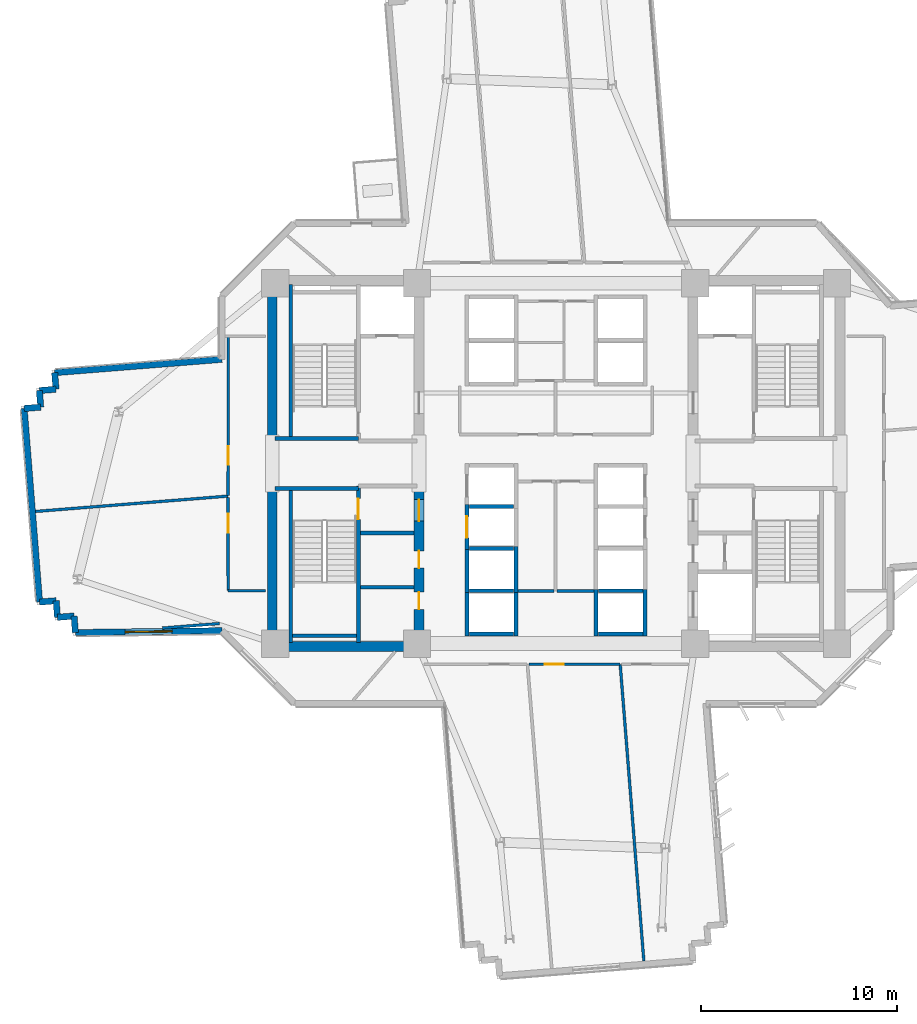
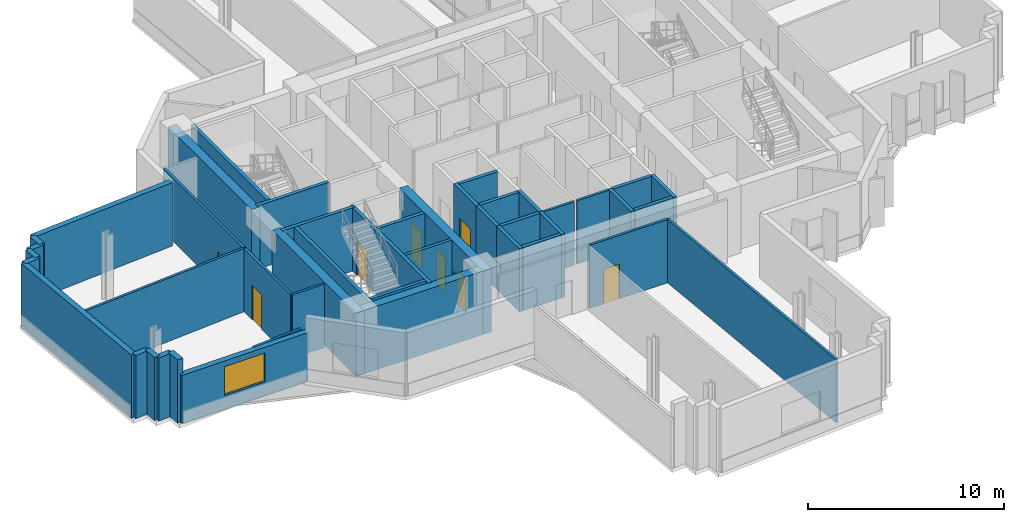
# One storey, part 6 of 15: 45 walls, 8 doors, 1 window, 9 openings.
"""IFC4 building model written with IfcOpenShell, lengths in metres."""

from ifc_helpers import new_model, si_unit, direction, frame, frame_2d, origin, place, context, subcontext, project, spatial, rectangle, extrude, source, transform, mapped, material, layer, layer_set, type_object, element, fill, save


model = new_model("IFC4")

# Units and contexts
model_context = context("Model", 3, precision=1e-05, world=origin(), true_north=direction((0.0, 1.0)))
body_context = subcontext(model_context, "Body", "Model", "MODEL_VIEW")
ifc_project = project(units=[si_unit("LENGTHUNIT", "METRE"), si_unit("AREAUNIT", "SQUARE_METRE"), si_unit("VOLUMEUNIT", "CUBIC_METRE"), si_unit("PLANEANGLEUNIT", "RADIAN"), si_unit("MASSUNIT", "GRAM", prefix="KILO")], contexts=[model_context])

# Site, building, storey
site_placement = place(None, origin())
site = spatial("IfcSite", under=ifc_project, at=site_placement, CompositionType="ELEMENT")
building_placement = place(site_placement, origin())
building = spatial("IfcBuilding", under=site, at=building_placement, Name="Zahravan Cultural Tower", CompositionType="ELEMENT")
storey_placement = place(building_placement, frame((0.0, 0.0, 83.699951171875)))
storey = spatial("IfcBuildingStorey", under=building, at=storey_placement, Name="L18", CompositionType="ELEMENT", Elevation=83.699951171875)

# Wall, openings, doors
ifc_material_1 = material(Name="Concrete C60/75", Category="concrete")
ifc_layer_1 = layer(ifc_material_1, 0.5)
ifc_layer_set_1 = layer_set([ifc_layer_1], Name="Concrete C60/75")
wall_type_1 = type_object("IfcWallType", Name="CW-SHEAR-500-C60", PredefinedType="SHEAR", material=ifc_layer_set_1)
wall_1_placement = place(storey_placement, frame((29.0, 17.39990234375, 0.0), z_axis=(0.0, 0.0, 1.0), x_axis=(0.0, 1.0, 0.0)))
wall_1 = element("IfcWall", 1, at=wall_1_placement, inside=storey, type_object=wall_type_1, Name="L18 Core Shear Wall CW-W-ES-L18", PredefinedType="SHEAR", context=body_context, shape_type="SweptSolid", body=[
    extrude(rectangle(XDim=8.550048828125, YDim=0.5, at=frame_2d((4.27490234375, 0.0))), origin(), (0.0, 0.0, 1.0), 3.949951171875),
])
opening_1_placement = place(wall_1_placement, frame((6.64990234375, 0.0, 0.0)))
opening_1 = element("IfcOpeningElement", 2, at=opening_1_placement, cuts=wall_1, Name="Opening D-L18-07", PredefinedType="OPENING", context=body_context, shape_type="SweptSolid", body=[
    extrude(rectangle(XDim=1.10009765625, YDim=2.199951171875, at=frame_2d((0.550048828125, 1.10009765625))), frame((0.0, 0.260009765625, 0.0), z_axis=(0.0, -1.0, 0.0), x_axis=(1.0, 0.0, 0.0)), (0.0, 0.0, 1.0), 0.52001953125),
])
opening_2_placement = place(wall_1_placement, frame((2.14990234375, 0.0, 0.0)))
opening_2 = element("IfcOpeningElement", 3, at=opening_2_placement, cuts=wall_1, Name="Opening D-L18-09", PredefinedType="OPENING", context=body_context, shape_type="SweptSolid", body=[
    extrude(rectangle(XDim=0.8798828125, YDim=2.10009765625, at=frame_2d((0.43994140625, 1.050048828125))), frame((0.0, 0.260009765625, 0.0), z_axis=(0.0, -1.0, 0.0), x_axis=(1.0, 0.0, 0.0)), (0.0, 0.0, 1.0), 0.52001953125),
])
opening_3_placement = place(wall_1_placement, frame((4.25, 0.0, 0.0)))
opening_3 = element("IfcOpeningElement", 4, at=opening_3_placement, cuts=wall_1, Name="Opening D-L18-10", PredefinedType="OPENING", context=body_context, shape_type="SweptSolid", body=[
    extrude(rectangle(XDim=0.8798828125, YDim=2.10009765625, at=frame_2d((0.43994140625, 1.050048828125))), frame((0.0, 0.260009765625, 0.0), z_axis=(0.0, -1.0, 0.0), x_axis=(1.0, 0.0, 0.0)), (0.0, 0.0, 1.0), 0.52001953125),
])
ifc_material_2 = material(Name="Steel ASTM A572 Grade 50", Category="steel")
door_type_1 = type_object("IfcDoorType", Name="DR-LOBBY-1100", OperationType="NOTDEFINED", PredefinedType="DOOR", material=ifc_material_2)
shared_shape_1 = source(origin(), body_context, "Body", "SweptSolid", [
    extrude(rectangle(XDim=1.10009765625, YDim=2.199951171875, at=frame_2d((0.550048828125, 1.10009765625))), frame((0.0, 0.02490234375, 0.0), z_axis=(0.0, -1.0, 0.0), x_axis=(1.0, 0.0, 0.0)), (0.0, 0.0, 1.0), 0.050048828125),
])
door_1_placement = place(opening_1_placement, origin())
door_1 = element("IfcDoor", 5, at=door_1_placement, inside=storey, type_object=door_type_1, Name="L18 Door D-L18-07", OperationType="SINGLE_SWING_RIGHT", OverallHeight=2.199951171875, OverallWidth=1.10009765625, PredefinedType="DOOR", context=body_context, shape_type="MappedRepresentation", body=[
    mapped(shared_shape_1, transform((0.0, 0.0, 0.0), x_axis=(1.0, 0.0, 0.0), y_axis=(0.0, 1.0, 0.0), z_axis=(0.0, 0.0, 1.0), scale=1.0)),
])
fill(opening_1, door_1)
door_type_2 = type_object("IfcDoorType", Name="DR-SVC-880", OperationType="NOTDEFINED", PredefinedType="DOOR", material=ifc_material_2)
shared_shape_2 = source(origin(), body_context, "Body", "SweptSolid", [
    extrude(rectangle(XDim=0.8798828125, YDim=2.10009765625, at=frame_2d((0.43994140625, 1.050048828125))), frame((0.0, 0.02490234375, 0.0), z_axis=(0.0, -1.0, 0.0), x_axis=(1.0, 0.0, 0.0)), (0.0, 0.0, 1.0), 0.050048828125),
])
door_2_placement = place(opening_2_placement, origin())
door_2 = element("IfcDoor", 6, at=door_2_placement, inside=storey, type_object=door_type_2, Name="L18 Door D-L18-09", OperationType="SINGLE_SWING_RIGHT", OverallHeight=2.10009765625, OverallWidth=0.8798828125, PredefinedType="DOOR", context=body_context, shape_type="MappedRepresentation", body=[
    mapped(shared_shape_2, transform((0.0, 0.0, 0.0), x_axis=(1.0, 0.0, 0.0), y_axis=(0.0, 1.0, 0.0), z_axis=(0.0, 0.0, 1.0), scale=1.0)),
])
fill(opening_2, door_2)
door_3_placement = place(opening_3_placement, origin())
door_3 = element("IfcDoor", 7, at=door_3_placement, inside=storey, type_object=door_type_2, Name="L18 Door D-L18-10", OperationType="SINGLE_SWING_LEFT", OverallHeight=2.10009765625, OverallWidth=0.8798828125, PredefinedType="DOOR", context=body_context, shape_type="MappedRepresentation", body=[
    mapped(shared_shape_2, transform((0.0, 0.0, 0.0), x_axis=(1.0, 0.0, 0.0), y_axis=(0.0, 1.0, 0.0), z_axis=(0.0, 0.0, 1.0), scale=1.0)),
])
fill(opening_3, door_3)

# Wall, opening, window
ifc_material_3 = material(Name="Precast concrete C40/50", Category="concrete")
ifc_layer_2 = layer(ifc_material_3, 0.320068359375)
ifc_layer_set_2 = layer_set([ifc_layer_2], Name="Precast concrete C40/50")
wall_type_2 = type_object("IfcWallType", Name="EW-TC-320", PredefinedType="SOLIDWALL", material=ifc_layer_set_2)
wall_2_placement = place(storey_placement, frame((18.93994140625, 18.4580078125, 0.0), z_axis=(0.0, 0.0, 1.0), x_axis=(-0.999915877143, -0.012970683759, 0.0)))
wall_2 = element("IfcWall", 8, at=wall_2_placement, inside=storey, type_object=wall_type_2, Name="L18 Exterior Masonry Frame Wall 27", PredefinedType="SOLIDWALL", context=body_context, shape_type="SweptSolid", body=[
    extrude(rectangle(XDim=7.491455078125, YDim=0.320068359375, at=frame_2d((3.74560546875, 0.0))), origin(), (0.0, 0.0, 1.0), 3.010009765625),
])
opening_4_placement = place(wall_2_placement, frame((2.5458984375, 0.0, 0.85009765625)))
opening_4 = element("IfcOpeningElement", 9, at=opening_4_placement, cuts=wall_2, Name="Opening WN-01", PredefinedType="OPENING", context=body_context, shape_type="SweptSolid", body=[
    extrude(rectangle(XDim=2.39990234375, YDim=1.800048828125, at=frame_2d((1.199951171875, 0.89990234375))), frame((0.0, 0.169921875, 0.0), z_axis=(0.0, -1.0, 0.0), x_axis=(1.0, 0.0, 0.0)), (0.0, 0.0, 1.0), 0.340087890625),
])
ifc_material_4 = material(Name="Low-E solar-control double glazing", Category="glass")
window_type = type_object("IfcWindowType", Name="WN-REC-2400X1800", PartitioningType="DOUBLE_PANEL_VERTICAL", PredefinedType="WINDOW", material=ifc_material_4)
shared_shape_3 = source(origin(), body_context, "Body", "SweptSolid", [
    extrude(rectangle(XDim=2.39990234375, YDim=1.800048828125, at=frame_2d((1.199951171875, 0.89990234375))), frame((0.0, 0.030029296875, 0.0), z_axis=(0.0, -1.0, 0.0), x_axis=(1.0, 0.0, 0.0)), (0.0, 0.0, 1.0), 0.06005859375),
])
window_placement = place(opening_4_placement, origin())
window = element("IfcWindow", 10, at=window_placement, inside=storey, type_object=window_type, Name="L18 Recessed Solar Window 08", OverallHeight=1.800048828125, OverallWidth=2.39990234375, PartitioningType="DOUBLE_PANEL_VERTICAL", PredefinedType="WINDOW", context=body_context, shape_type="MappedRepresentation", body=[
    mapped(shared_shape_3, transform((0.0, 0.0, 0.0), x_axis=(1.0, 0.0, 0.0), y_axis=(0.0, 1.0, 0.0), z_axis=(0.0, 0.0, 1.0), scale=1.0)),
])
fill(opening_4, window)

# Wall, opening, door
ifc_material_5 = material(Name="Gypsum plasterboard partition")
ifc_layer_3 = layer(ifc_material_5, 0.139892578125)
ifc_layer_set_3 = layer_set([ifc_layer_3], Name="Gypsum plasterboard partition")
wall_type_3 = type_object("IfcWallType", Name="W-PART-140", PredefinedType="PARTITIONING", material=ifc_layer_set_3)
wall_3_placement = place(storey_placement, frame((34.6162109375, 16.739990234375, 0.0), z_axis=(0.0, 0.0, 1.0), x_axis=(1.0, 0.0, 0.0)))
wall_3 = element("IfcWall", 11, at=wall_3_placement, inside=storey, type_object=wall_type_3, Name="L18 Interior Wall 089", PredefinedType="PARTITIONING", context=body_context, shape_type="SweptSolid", body=[
    extrude(rectangle(XDim=4.659912109375, YDim=0.139892578125, at=frame_2d((2.330078125, 0.0))), origin(), (0.0, 0.0, 1.0), 3.949951171875),
])
opening_5_placement = place(wall_3_placement, frame((0.816162109375, 0.0, 0.0)))
opening_5 = element("IfcOpeningElement", 12, at=opening_5_placement, cuts=wall_3, Name="Opening D-L18-27", PredefinedType="OPENING", context=body_context, shape_type="SweptSolid", body=[
    extrude(rectangle(XDim=0.949951171875, YDim=2.14990234375, at=frame_2d((0.47509765625, 1.074951171875))), frame((0.0, 0.079833984375, 0.0), z_axis=(0.0, -1.0, 0.0), x_axis=(1.0, 0.0, 0.0)), (0.0, 0.0, 1.0), 0.159912109375),
])
ifc_material_6 = material(Name="Anodised bronze-aluminium mullion", Category="aluminium")
door_type_3 = type_object("IfcDoorType", Name="DR-ROOM-950", OperationType="NOTDEFINED", PredefinedType="DOOR", material=ifc_material_6)
shared_shape_4 = source(origin(), body_context, "Body", "SweptSolid", [
    extrude(rectangle(XDim=0.949951171875, YDim=2.14990234375, at=frame_2d((0.47509765625, 1.074951171875))), frame((0.0, 0.02490234375, 0.0), z_axis=(0.0, -1.0, 0.0), x_axis=(1.0, 0.0, 0.0)), (0.0, 0.0, 1.0), 0.050048828125),
])
door_4_placement = place(opening_5_placement, origin())
door_4 = element("IfcDoor", 13, at=door_4_placement, inside=storey, type_object=door_type_3, Name="L18 Door D-L18-27", OperationType="SINGLE_SWING_RIGHT", OverallHeight=2.14990234375, OverallWidth=0.949951171875, PredefinedType="DOOR", context=body_context, shape_type="MappedRepresentation", body=[
    mapped(shared_shape_4, transform((0.0, 0.0, 0.0), x_axis=(1.0, 0.0, 0.0), y_axis=(0.0, 1.0, 0.0), z_axis=(0.0, 0.0, 1.0), scale=1.0)),
])
fill(opening_5, door_4)

wall_4_placement = place(storey_placement, frame((19.25, 25.2578125, 0.0), z_axis=(0.0, 0.0, 1.0), x_axis=(0.000102701037, -0.999999994726, 0.0)))
wall_4 = element("IfcWall", 14, at=wall_4_placement, inside=storey, type_object=wall_type_3, Name="L18 Interior Wall 108", PredefinedType="PARTITIONING", context=body_context, shape_type="SweptSolid", body=[
    extrude(rectangle(XDim=4.75439453125, YDim=0.139892578125, at=frame_2d((2.377197265625, 0.0))), origin(), (0.0, 0.0, 1.0), 3.949951171875),
])
opening_6_placement = place(wall_4_placement, frame((0.8369140625, 0.0, 0.0)))
opening_6 = element("IfcOpeningElement", 15, at=opening_6_placement, cuts=wall_4, Name="Opening D-L18-25", PredefinedType="OPENING", context=body_context, shape_type="SweptSolid", body=[
    extrude(rectangle(XDim=0.949951171875, YDim=2.14990234375, at=frame_2d((0.47509765625, 1.074951171875))), frame((0.0, 0.079833984375, 0.0), z_axis=(0.0, -1.0, 0.0), x_axis=(1.0, 0.0, 0.0)), (0.0, 0.0, 1.0), 0.159912109375),
])
door_5_placement = place(opening_6_placement, origin())
door_5 = element("IfcDoor", 16, at=door_5_placement, inside=storey, type_object=door_type_3, Name="L18 Door D-L18-25", OperationType="SINGLE_SWING_RIGHT", OverallHeight=2.14990234375, OverallWidth=0.949951171875, PredefinedType="DOOR", context=body_context, shape_type="MappedRepresentation", body=[
    mapped(shared_shape_4, transform((0.0, 0.0, 0.0), x_axis=(1.0, 0.0, 0.0), y_axis=(0.0, 1.0, 0.0), z_axis=(0.0, 0.0, 1.0), scale=1.0)),
])
fill(opening_6, door_5)

wall_5_placement = place(storey_placement, frame((19.252685546875, 33.497314453125, 0.0), z_axis=(0.0, 0.0, 1.0), x_axis=(-0.000329746078, -0.999999945634, 0.0)))
wall_5 = element("IfcWall", 17, at=wall_5_placement, inside=storey, type_object=wall_type_3, Name="L18 Interior Wall 110", PredefinedType="PARTITIONING", context=body_context, shape_type="SweptSolid", body=[
    extrude(rectangle(XDim=8.144287109375, YDim=0.139892578125, at=frame_2d((4.072265625, 0.0))), origin(), (0.0, 0.0, 1.0), 3.949951171875),
])
opening_7_placement = place(wall_5_placement, frame((5.611328125, 0.0, 0.0)))
opening_7 = element("IfcOpeningElement", 18, at=opening_7_placement, cuts=wall_5, Name="Opening D-L18-24", PredefinedType="OPENING", context=body_context, shape_type="SweptSolid", body=[
    extrude(rectangle(XDim=0.949951171875, YDim=2.14990234375, at=frame_2d((0.47509765625, 1.074951171875))), frame((0.0, 0.079833984375, 0.0), z_axis=(0.0, -1.0, 0.0), x_axis=(1.0, 0.0, 0.0)), (0.0, 0.0, 1.0), 0.159912109375),
])
door_6_placement = place(opening_7_placement, origin())
door_6 = element("IfcDoor", 19, at=door_6_placement, inside=storey, type_object=door_type_3, Name="L18 Door D-L18-24", OperationType="SINGLE_SWING_LEFT", OverallHeight=2.14990234375, OverallWidth=0.949951171875, PredefinedType="DOOR", context=body_context, shape_type="MappedRepresentation", body=[
    mapped(shared_shape_4, transform((0.0, 0.0, 0.0), x_axis=(1.0, 0.0, 0.0), y_axis=(0.0, 1.0, 0.0), z_axis=(0.0, 0.0, 1.0), scale=1.0)),
])
fill(opening_7, door_6)

ifc_material_7 = material(Name="Concrete C45/55", Category="concrete")
ifc_layer_4 = layer(ifc_material_7, 0.199951171875)
ifc_layer_set_4 = layer_set([ifc_layer_4], Name="Concrete C45/55")
wall_type_4 = type_object("IfcWallType", Name="W-SHAFT-200", PredefinedType="SOLIDWALL", material=ifc_layer_set_4)
wall_6_placement = place(storey_placement, frame((25.89990234375, 17.85009765625, 0.0), z_axis=(0.0, 0.0, 1.0), x_axis=(0.0, 1.0, 0.0)))
wall_6 = element("IfcWall", 20, at=wall_6_placement, inside=storey, type_object=wall_type_4, Name="L18 Interior Wall 005", PredefinedType="SOLIDWALL", context=body_context, shape_type="SweptSolid", body=[
    extrude(rectangle(XDim=8.0, YDim=0.199951171875, at=frame_2d((4.0, 0.0))), origin(), (0.0, 0.0, 1.0), 3.949951171875),
])
opening_8_placement = place(wall_6_placement, frame((6.300048828125, 0.0, 0.0)))
opening_8 = element("IfcOpeningElement", 21, at=opening_8_placement, cuts=wall_6, Name="Opening D-L18-04", PredefinedType="OPENING", context=body_context, shape_type="SweptSolid", body=[
    extrude(rectangle(XDim=1.050048828125, YDim=2.14990234375, at=frame_2d((0.52490234375, 1.074951171875))), frame((0.0, 0.10986328125, 0.0), z_axis=(0.0, -1.0, 0.0), x_axis=(1.0, 0.0, 0.0)), (0.0, 0.0, 1.0), 0.219970703125),
])
door_type_4 = type_object("IfcDoorType", Name="DR-STAIR-1050", OperationType="NOTDEFINED", PredefinedType="DOOR", material=ifc_material_2)
shared_shape_5 = source(origin(), body_context, "Body", "SweptSolid", [
    extrude(rectangle(XDim=1.050048828125, YDim=2.14990234375, at=frame_2d((0.52490234375, 1.074951171875))), frame((0.0, 0.02490234375, 0.0), z_axis=(0.0, -1.0, 0.0), x_axis=(1.0, 0.0, 0.0)), (0.0, 0.0, 1.0), 0.050048828125),
])
door_7_placement = place(opening_8_placement, origin())
door_7 = element("IfcDoor", 22, at=door_7_placement, inside=storey, type_object=door_type_4, Name="L18 Door D-L18-04", OperationType="SINGLE_SWING_LEFT", OverallHeight=2.14990234375, OverallWidth=1.050048828125, PredefinedType="DOOR", context=body_context, shape_type="MappedRepresentation", body=[
    mapped(shared_shape_5, transform((0.0, 0.0, 0.0), x_axis=(1.0, 0.0, 0.0), y_axis=(0.0, 1.0, 0.0), z_axis=(0.0, 0.0, 1.0), scale=1.0)),
])
fill(opening_8, door_7)

wall_7_placement = place(storey_placement, frame((31.449951171875, 22.60009765625, 0.0), z_axis=(0.0, 0.0, 1.0), x_axis=(0.0, 1.0, 0.0)))
wall_7 = element("IfcWall", 23, at=wall_7_placement, inside=storey, type_object=wall_type_4, Name="L18 Interior Wall 060", PredefinedType="SOLIDWALL", context=body_context, shape_type="SweptSolid", body=[
    extrude(rectangle(XDim=2.2998046875, YDim=0.199951171875, at=frame_2d((1.14990234375, 0.0))), origin(), (0.0, 0.0, 1.0), 3.949951171875),
])
opening_9_placement = place(wall_7_placement, frame((0.60009765625, 0.0, 0.0)))
opening_9 = element("IfcOpeningElement", 24, at=opening_9_placement, cuts=wall_7, Name="Opening LD-L18-05", PredefinedType="OPENING", context=body_context, shape_type="SweptSolid", body=[
    extrude(rectangle(XDim=1.10009765625, YDim=2.14990234375, at=frame_2d((0.550048828125, 1.074951171875))), frame((0.0, 0.10986328125, 0.0), z_axis=(0.0, -1.0, 0.0), x_axis=(1.0, 0.0, 0.0)), (0.0, 0.0, 1.0), 0.219970703125),
])
door_type_5 = type_object("IfcDoorType", Name="DR-LIFT-1100", OperationType="DOUBLE_DOOR_SLIDING", PredefinedType="DOOR", material=ifc_material_2)
shared_shape_6 = source(origin(), body_context, "Body", "SweptSolid", [
    extrude(rectangle(XDim=1.10009765625, YDim=2.14990234375, at=frame_2d((0.550048828125, 1.074951171875))), frame((0.0, 0.02490234375, 0.0), z_axis=(0.0, -1.0, 0.0), x_axis=(1.0, 0.0, 0.0)), (0.0, 0.0, 1.0), 0.050048828125),
])
door_8_placement = place(opening_9_placement, origin())
door_8 = element("IfcDoor", 25, at=door_8_placement, inside=storey, type_object=door_type_5, Name="L18 Door LD-L18-05", OperationType="DOUBLE_DOOR_SLIDING", OverallHeight=2.14990234375, OverallWidth=1.10009765625, PredefinedType="DOOR", context=body_context, shape_type="MappedRepresentation", body=[
    mapped(shared_shape_6, transform((0.0, 0.0, 0.0), x_axis=(1.0, 0.0, 0.0), y_axis=(0.0, 1.0, 0.0), z_axis=(0.0, 0.0, 1.0), scale=1.0)),
])
fill(opening_9, door_8)

# Walls
shared_shape_7 = source(origin(), body_context, "Body", "SweptSolid", [
    extrude(rectangle(XDim=8.550048828125, YDim=0.5, at=frame_2d((4.27490234375, 0.0))), origin(), (0.0, 0.0, 1.0), 3.949951171875),
])
for number, where, z_axis, x_axis, name in (
    (26, (21.5, 17.39990234375, 0.0), (0.0, 0.0, 1.0), (0.0, 1.0, 0.0), "L18 Core Shear Wall CW-W-WS-L18"),
    (27, (21.5, 28.050048828125, 0.0), (0.0, 0.0, 1.0), (0.0, 1.0, 0.0), "L18 Core Shear Wall CW-W-WN-L18"),
):
    element("IfcWall", number, at=place(storey_placement, frame(where, z_axis=z_axis, x_axis=x_axis)), inside=storey, type_object=wall_type_1, Name=name, PredefinedType="SHEAR", context=body_context, shape_type="MappedRepresentation", body=[
        mapped(shared_shape_7, transform((0.0, 0.0, 0.0), x_axis=(1.0, 0.0, 0.0), y_axis=(0.0, 1.0, 0.0), z_axis=(0.0, 0.0, 1.0), scale=1.0)),
    ])
shared_shape_8 = source(origin(), body_context, "Body", "SweptSolid", [
    extrude(rectangle(XDim=7.0, YDim=0.5, at=frame_2d((3.5, 0.0))), origin(), (0.0, 0.0, 1.0), 3.949951171875),
])
wall_8_placement = place(storey_placement, frame((21.75, 17.64990234375, 0.0), z_axis=(0.0, 0.0, 1.0), x_axis=(1.0, 0.0, 0.0)))
element("IfcWall", 28, at=wall_8_placement, inside=storey, type_object=wall_type_1, Name="L18 Core Shear Wall CW-W-S-L18", PredefinedType="SHEAR", context=body_context, shape_type="MappedRepresentation", body=[
    mapped(shared_shape_8, transform((0.0, 0.0, 0.0), x_axis=(1.0, 0.0, 0.0), y_axis=(0.0, 1.0, 0.0), z_axis=(0.0, 0.0, 1.0), scale=1.0)),
])
shared_shape_9 = source(origin(), body_context, "Body", "SweptSolid", [
    extrude(rectangle(XDim=0.849853515625, YDim=0.320068359375, at=frame_2d((0.4248046875, 0.0))), origin(), (0.0, 0.0, 1.0), 3.949951171875),
])
for number, where, z_axis, x_axis, name in (
    (29, (11.44921875, 18.36083984375, 0.0), (0.0, 0.0, 1.0), (-0.079573954853, 0.996828965123, 0.0), "L18 Exterior Masonry Frame Wall 28"),
    (30, (10.466552734375, 19.98779296875, 0.0), (0.0, 0.0, 1.0), (-0.996851711541, -0.079288493483, 0.0), "L18 Exterior Masonry Frame Wall 31"),
    (31, (8.830810546875, 29.808837890625, 0.0), (0.0, 0.0, 1.0), (0.996828965123, 0.079573954853, 0.0), "L18 Exterior Masonry Frame Wall 33"),
):
    element("IfcWall", number, at=place(storey_placement, frame(where, z_axis=z_axis, x_axis=x_axis)), inside=storey, type_object=wall_type_2, Name=name, PredefinedType="SOLIDWALL", context=body_context, shape_type="MappedRepresentation", body=[
        mapped(shared_shape_9, transform((0.0, 0.0, 0.0), x_axis=(1.0, 0.0, 0.0), y_axis=(0.0, 1.0, 0.0), z_axis=(0.0, 0.0, 1.0), scale=1.0)),
    ])
shared_shape_10 = source(origin(), body_context, "Body", "SweptSolid", [
    extrude(rectangle(XDim=0.85009765625, YDim=0.320068359375, at=frame_2d((0.425048828125, 0.0))), origin(), (0.0, 0.0, 1.0), 3.949951171875),
])
for number, where, z_axis, x_axis, name in (
    (32, (11.381591796875, 19.2080078125, 0.0), (0.0, 0.0, 1.0), (-0.996830783344, -0.079551174585, 0.0), "L18 Exterior Masonry Frame Wall 29"),
    (33, (10.5341796875, 19.140380859375, 0.0), (0.0, 0.0, 1.0), (-0.079551174585, 0.996830783344, 0.0), "L18 Exterior Masonry Frame Wall 30"),
    (34, (9.677978515625, 29.87646484375, 0.0), (0.0, 0.0, 1.0), (-0.079551174585, 0.996830783344, 0.0), "L18 Exterior Masonry Frame Wall 34"),
    (35, (9.6103515625, 30.723876953125, 0.0), (0.0, 0.0, 1.0), (0.99685351678, 0.079265793901, 0.0), "L18 Exterior Masonry Frame Wall 35"),
    (36, (10.457763671875, 30.791259765625, 0.0), (0.0, 0.0, 1.0), (-0.079551174585, 0.996830783344, 0.0), "L18 Exterior Masonry Frame Wall 36"),
):
    element("IfcWall", number, at=place(storey_placement, frame(where, z_axis=z_axis, x_axis=x_axis)), inside=storey, type_object=wall_type_2, Name=name, PredefinedType="SOLIDWALL", context=body_context, shape_type="MappedRepresentation", body=[
        mapped(shared_shape_10, transform((0.0, 0.0, 0.0), x_axis=(1.0, 0.0, 0.0), y_axis=(0.0, 1.0, 0.0), z_axis=(0.0, 0.0, 1.0), scale=1.0)),
    ])
shared_shape_11 = source(origin(), body_context, "Body", "SweptSolid", [
    extrude(rectangle(XDim=9.919921875, YDim=0.320068359375, at=frame_2d((4.9599609375, 0.0))), origin(), (0.0, 0.0, 1.0), 3.949951171875),
])
wall_9_placement = place(storey_placement, frame((9.619384765625, 19.92041015625, 0.0), z_axis=(0.0, 0.0, 1.0), x_axis=(-0.07949480177, 0.996835280521, 0.0)))
element("IfcWall", 37, at=wall_9_placement, inside=storey, type_object=wall_type_2, Name="L18 Exterior Masonry Frame Wall 32", PredefinedType="SOLIDWALL", context=body_context, shape_type="MappedRepresentation", body=[
    mapped(shared_shape_11, transform((0.0, 0.0, 0.0), x_axis=(1.0, 0.0, 0.0), y_axis=(0.0, 1.0, 0.0), z_axis=(0.0, 0.0, 1.0), scale=1.0)),
])
shared_shape_12 = source(origin(), body_context, "Body", "SweptSolid", [
    extrude(rectangle(XDim=8.576904296875, YDim=0.320068359375, at=frame_2d((4.28857421875, 0.0))), origin(), (0.0, 0.0, 1.0), 3.949951171875),
])
wall_10_placement = place(storey_placement, frame((10.39013671875, 31.638671875, 0.0), z_axis=(0.0, 0.0, 1.0), x_axis=(0.996834708052, 0.07950198, 0.0)))
element("IfcWall", 38, at=wall_10_placement, inside=storey, type_object=wall_type_2, Name="L18 Exterior Masonry Frame Wall 37", PredefinedType="SOLIDWALL", context=body_context, shape_type="MappedRepresentation", body=[
    mapped(shared_shape_12, transform((0.0, 0.0, 0.0), x_axis=(1.0, 0.0, 0.0), y_axis=(0.0, 1.0, 0.0), z_axis=(0.0, 0.0, 1.0), scale=1.0)),
])
shared_shape_13 = source(origin(), body_context, "Body", "SweptSolid", [
    extrude(rectangle(XDim=7.869873046875, YDim=0.199951171875, at=frame_2d((3.93505859375, 0.0))), origin(), (0.0, 0.0, 1.0), 3.949951171875),
])
for number, where, z_axis, x_axis, name in (
    (39, (22.449951171875, 17.85009765625, 0.0), (0.0, 0.0, 1.0), (0.0, 1.0, 0.0), "L18 Interior Wall 001"),
    (40, (22.449951171875, 28.280029296875, 0.0), (0.0, 0.0, 1.0), (0.0, 1.0, 0.0), "L18 Interior Wall 002"),
):
    element("IfcWall", number, at=place(storey_placement, frame(where, z_axis=z_axis, x_axis=x_axis)), inside=storey, type_object=wall_type_4, Name=name, PredefinedType="SOLIDWALL", context=body_context, shape_type="MappedRepresentation", body=[
        mapped(shared_shape_13, transform((0.0, 0.0, 0.0), x_axis=(1.0, 0.0, 0.0), y_axis=(0.0, 1.0, 0.0), z_axis=(0.0, 0.0, 1.0), scale=1.0)),
    ])
shared_shape_14 = source(origin(), body_context, "Body", "SweptSolid", [
    extrude(rectangle(XDim=4.25, YDim=0.199951171875, at=frame_2d((2.125, 0.0))), origin(), (0.0, 0.0, 1.0), 3.949951171875),
])
for number, where, z_axis, x_axis, name in (
    (41, (21.64990234375, 25.715087890625, 0.0), (0.0, 0.0, 1.0), (1.0, 0.0, 0.0), "L18 Interior Wall 009"),
    (42, (21.64990234375, 28.284912109375, 0.0), (0.0, 0.0, 1.0), (1.0, 0.0, 0.0), "L18 Interior Wall 011"),
):
    element("IfcWall", number, at=place(storey_placement, frame(where, z_axis=z_axis, x_axis=x_axis)), inside=storey, type_object=wall_type_4, Name=name, PredefinedType="SOLIDWALL", context=body_context, shape_type="MappedRepresentation", body=[
        mapped(shared_shape_14, transform((0.0, 0.0, 0.0), x_axis=(1.0, 0.0, 0.0), y_axis=(0.0, 1.0, 0.0), z_axis=(0.0, 0.0, 1.0), scale=1.0)),
    ])
shared_shape_15 = source(origin(), body_context, "Body", "SweptSolid", [
    extrude(rectangle(XDim=3.25, YDim=0.199951171875, at=frame_2d((1.625, 0.0))), origin(), (0.0, 0.0, 1.0), 3.949951171875),
])
wall_11_placement = place(storey_placement, frame((22.550048828125, 18.199951171875, 0.0), z_axis=(0.0, 0.0, 1.0), x_axis=(1.0, 0.0, 0.0)))
element("IfcWall", 43, at=wall_11_placement, inside=storey, type_object=wall_type_4, Name="L18 Interior Wall 019", PredefinedType="SOLIDWALL", context=body_context, shape_type="MappedRepresentation", body=[
    mapped(shared_shape_15, transform((0.0, 0.0, 0.0), x_axis=(1.0, 0.0, 0.0), y_axis=(0.0, 1.0, 0.0), z_axis=(0.0, 0.0, 1.0), scale=1.0)),
])
shared_shape_16 = source(origin(), body_context, "Body", "SweptSolid", [
    extrude(rectangle(XDim=2.75, YDim=0.199951171875, at=frame_2d((1.375, 0.0))), origin(), (0.0, 0.0, 1.0), 3.949951171875),
])
wall_12_placement = place(storey_placement, frame((26.0, 23.449951171875, 0.0), z_axis=(0.0, 0.0, 1.0), x_axis=(1.0, 0.0, 0.0)))
element("IfcWall", 44, at=wall_12_placement, inside=storey, type_object=wall_type_4, Name="L18 Interior Wall 023", PredefinedType="SOLIDWALL", context=body_context, shape_type="MappedRepresentation", body=[
    mapped(shared_shape_16, transform((0.0, 0.0, 0.0), x_axis=(1.0, 0.0, 0.0), y_axis=(0.0, 1.0, 0.0), z_axis=(0.0, 0.0, 1.0), scale=1.0)),
])
shared_shape_17 = source(origin(), body_context, "Body", "SweptSolid", [
    extrude(rectangle(XDim=2.260009765625, YDim=0.199951171875, at=frame_2d((1.1298828125, 0.0))), origin(), (0.0, 0.0, 1.0), 3.949951171875),
])
for number, where, z_axis, x_axis, name in (
    (45, (31.570068359375, 20.5, 0.0), (0.0, 0.0, 1.0), (1.0, 0.0, 0.0), "L18 Interior Wall 044"),
    (46, (31.570068359375, 22.64990234375, 0.0), (0.0, 0.0, 1.0), (1.0, 0.0, 0.0), "L18 Interior Wall 045"),
    (47, (31.570068359375, 18.300048828125, 0.0), (0.0, 0.0, 1.0), (1.0, 0.0, 0.0), "L18 Interior Wall 048"),
    (48, (38.169921875, 20.5, 0.0), (0.0, 0.0, 1.0), (1.0, 0.0, 0.0), "L18 Interior Wall 051"),
    (49, (38.169921875, 18.300048828125, 0.0), (0.0, 0.0, 1.0), (1.0, 0.0, 0.0), "L18 Interior Wall 055"),
    (50, (31.570068359375, 24.800048828125, 0.0), (0.0, 0.0, 1.0), (1.0, 0.0, 0.0), "L18 Interior Wall 058"),
):
    element("IfcWall", number, at=place(storey_placement, frame(where, z_axis=z_axis, x_axis=x_axis)), inside=storey, type_object=wall_type_4, Name=name, PredefinedType="SOLIDWALL", context=body_context, shape_type="MappedRepresentation", body=[
        mapped(shared_shape_17, transform((0.0, 0.0, 0.0), x_axis=(1.0, 0.0, 0.0), y_axis=(0.0, 1.0, 0.0), z_axis=(0.0, 0.0, 1.0), scale=1.0)),
    ])
shared_shape_18 = source(origin(), body_context, "Body", "SweptSolid", [
    extrude(rectangle(XDim=2.35009765625, YDim=0.199951171875, at=frame_2d((1.175048828125, 0.0))), origin(), (0.0, 0.0, 1.0), 3.949951171875),
])
for number, where, z_axis, x_axis, name in (
    (51, (31.449951171875, 20.39990234375, 0.0), (0.0, 0.0, 1.0), (0.0, 1.0, 0.0), "L18 Interior Wall 042"),
    (52, (33.949951171875, 20.39990234375, 0.0), (0.0, 0.0, 1.0), (0.0, 1.0, 0.0), "L18 Interior Wall 043"),
    (53, (31.449951171875, 18.199951171875, 0.0), (0.0, 0.0, 1.0), (0.0, 1.0, 0.0), "L18 Interior Wall 046"),
    (54, (33.949951171875, 18.199951171875, 0.0), (0.0, 0.0, 1.0), (0.0, 1.0, 0.0), "L18 Interior Wall 047"),
    (55, (38.050048828125, 18.199951171875, 0.0), (0.0, 0.0, 1.0), (0.0, 1.0, 0.0), "L18 Interior Wall 053"),
    (56, (40.550048828125, 18.199951171875, 0.0), (0.0, 0.0, 1.0), (0.0, 1.0, 0.0), "L18 Interior Wall 054"),
):
    element("IfcWall", number, at=place(storey_placement, frame(where, z_axis=z_axis, x_axis=x_axis)), inside=storey, type_object=wall_type_4, Name=name, PredefinedType="SOLIDWALL", context=body_context, shape_type="MappedRepresentation", body=[
        mapped(shared_shape_18, transform((0.0, 0.0, 0.0), x_axis=(1.0, 0.0, 0.0), y_axis=(0.0, 1.0, 0.0), z_axis=(0.0, 0.0, 1.0), scale=1.0)),
    ])
ifc_layer_5 = layer(ifc_material_5, 0.179931640625)
ifc_layer_set_5 = layer_set([ifc_layer_5], Name="Gypsum plasterboard partition")
wall_type_5 = type_object("IfcWallType", Name="W-COMP-180", PredefinedType="PARTITIONING", material=ifc_layer_set_5)
shared_shape_19 = source(origin(), body_context, "Body", "SweptSolid", [
    extrude(rectangle(XDim=2.75, YDim=0.179931640625, at=frame_2d((1.375, 0.0))), origin(), (0.0, 0.0, 1.0), 3.949951171875),
])
wall_13_placement = place(storey_placement, frame((26.0, 20.679931640625, 0.0), z_axis=(0.0, 0.0, 1.0), x_axis=(1.0, 0.0, 0.0)))
element("IfcWall", 57, at=wall_13_placement, inside=storey, type_object=wall_type_5, Name="L18 Interior Wall 026", PredefinedType="PARTITIONING", context=body_context, shape_type="MappedRepresentation", body=[
    mapped(shared_shape_19, transform((0.0, 0.0, 0.0), x_axis=(1.0, 0.0, 0.0), y_axis=(0.0, 1.0, 0.0), z_axis=(0.0, 0.0, 1.0), scale=1.0)),
])
shared_shape_20 = source(origin(), body_context, "Body", "SweptSolid", [
    extrude(rectangle(XDim=1.840087890625, YDim=0.139892578125, at=frame_2d((0.919921875, 0.0))), origin(), (0.0, 0.0, 1.0), 3.949951171875),
])
wall_14_placement = place(storey_placement, frame((35.89501953125, 20.489990234375, 0.0), z_axis=(0.0, 0.0, 1.0), x_axis=(-1.0, 0.0, 0.0)))
element("IfcWall", 58, at=wall_14_placement, inside=storey, type_object=wall_type_3, Name="L18 Interior Wall 077", PredefinedType="PARTITIONING", context=body_context, shape_type="MappedRepresentation", body=[
    mapped(shared_shape_20, transform((0.0, 0.0, 0.0), x_axis=(1.0, 0.0, 0.0), y_axis=(0.0, 1.0, 0.0), z_axis=(0.0, 0.0, 1.0), scale=1.0)),
])
shared_shape_21 = source(origin(), body_context, "Body", "SweptSolid", [
    extrude(rectangle(XDim=1.900146484375, YDim=0.139892578125, at=frame_2d((0.9501953125, 0.0))), origin(), (0.0, 0.0, 1.0), 3.949951171875),
])
wall_15_placement = place(storey_placement, frame((37.945068359375, 20.489990234375, 0.0), z_axis=(0.0, 0.0, 1.0), x_axis=(-1.0, 0.0, 0.0)))
element("IfcWall", 59, at=wall_15_placement, inside=storey, type_object=wall_type_3, Name="L18 Interior Wall 079", PredefinedType="PARTITIONING", context=body_context, shape_type="MappedRepresentation", body=[
    mapped(shared_shape_21, transform((0.0, 0.0, 0.0), x_axis=(1.0, 0.0, 0.0), y_axis=(0.0, 1.0, 0.0), z_axis=(0.0, 0.0, 1.0), scale=1.0)),
])
shared_shape_22 = source(origin(), body_context, "Body", "SweptSolid", [
    extrude(rectangle(XDim=15.20703125, YDim=0.139892578125, at=frame_2d((7.603515625, 0.0))), origin(), (0.0, 0.0, 1.0), 3.949951171875),
])
wall_16_placement = place(storey_placement, frame((39.276123046875, 16.739990234375, 0.0), z_axis=(0.0, 0.0, 1.0), x_axis=(0.07950146843, -0.996834748851, 0.0)))
element("IfcWall", 60, at=wall_16_placement, inside=storey, type_object=wall_type_3, Name="L18 Interior Wall 090", PredefinedType="PARTITIONING", context=body_context, shape_type="MappedRepresentation", body=[
    mapped(shared_shape_22, transform((0.0, 0.0, 0.0), x_axis=(1.0, 0.0, 0.0), y_axis=(0.0, 1.0, 0.0), z_axis=(0.0, 0.0, 1.0), scale=1.0)),
])
shared_shape_23 = source(origin(), body_context, "Body", "SweptSolid", [
    extrude(rectangle(XDim=9.865478515625, YDim=0.139892578125, at=frame_2d((4.9326171875, 0.0))), origin(), (0.0, 0.0, 1.0), 3.949951171875),
])
wall_17_placement = place(storey_placement, frame((9.415771484375, 24.548583984375, 0.0), z_axis=(0.0, 0.0, 1.0), x_axis=(0.996833900052, 0.079512110446, 0.0)))
element("IfcWall", 61, at=wall_17_placement, inside=storey, type_object=wall_type_3, Name="L18 Interior Wall 107", PredefinedType="PARTITIONING", context=body_context, shape_type="MappedRepresentation", body=[
    mapped(shared_shape_23, transform((0.0, 0.0, 0.0), x_axis=(1.0, 0.0, 0.0), y_axis=(0.0, 1.0, 0.0), z_axis=(0.0, 0.0, 1.0), scale=1.0)),
])
shared_shape_24 = source(origin(), body_context, "Body", "SweptSolid", [
    extrude(rectangle(XDim=2.920654296875, YDim=0.139892578125, at=frame_2d((1.46044921875, 0.0))), origin(), (0.0, 0.0, 1.0), 3.010009765625),
])
wall_18_placement = place(storey_placement, frame((18.802734375, 18.824951171875, 0.0), z_axis=(0.0, 0.0, 1.0), x_axis=(-0.996855023767, -0.079246839625, 0.0)))
element("IfcWall", 62, at=wall_18_placement, inside=storey, type_object=wall_type_3, Name="L18 Interior Wall 106", PredefinedType="PARTITIONING", context=body_context, shape_type="MappedRepresentation", body=[
    mapped(shared_shape_24, transform((0.0, 0.0, 0.0), x_axis=(1.0, 0.0, 0.0), y_axis=(0.0, 1.0, 0.0), z_axis=(0.0, 0.0, 1.0), scale=1.0)),
])
shared_shape_25 = source(origin(), body_context, "Body", "SweptSolid", [
    extrude(rectangle(XDim=1.89892578125, YDim=0.139892578125, at=frame_2d((0.949462890625, 0.0))), origin(), (0.0, 0.0, 1.0), 3.949951171875),
])
wall_19_placement = place(storey_placement, frame((19.25048828125, 20.50341796875, 0.0), z_axis=(0.0, 0.0, 1.0), x_axis=(0.999999991735, 0.000128567754, 0.0)))
element("IfcWall", 63, at=wall_19_placement, inside=storey, type_object=wall_type_3, Name="L18 Interior Wall 109", PredefinedType="PARTITIONING", context=body_context, shape_type="MappedRepresentation", body=[
    mapped(shared_shape_25, transform((0.0, 0.0, 0.0), x_axis=(1.0, 0.0, 0.0), y_axis=(0.0, 1.0, 0.0), z_axis=(0.0, 0.0, 1.0), scale=1.0)),
])

save(model, "model.ifc")
